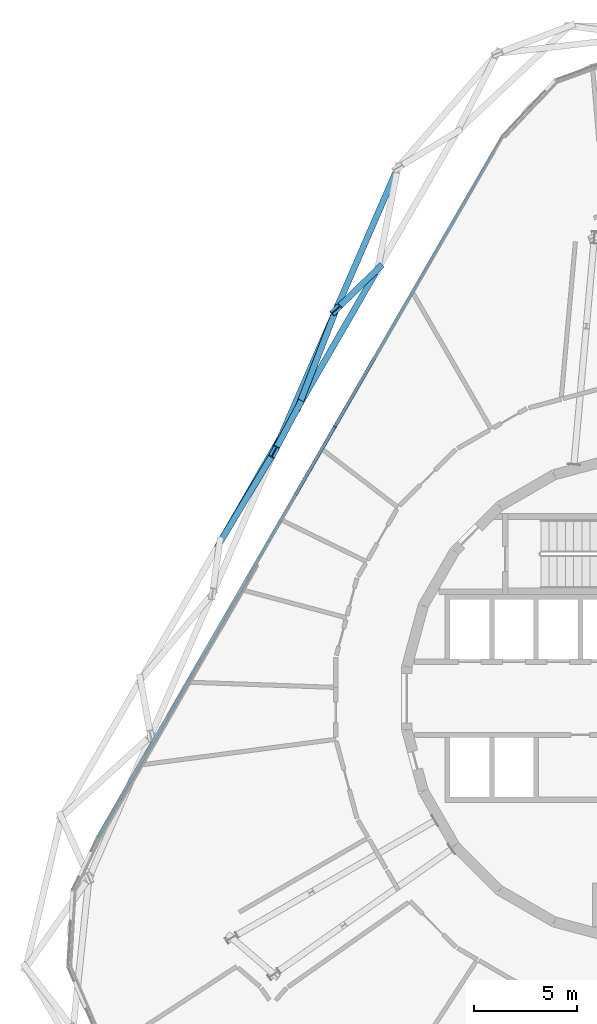
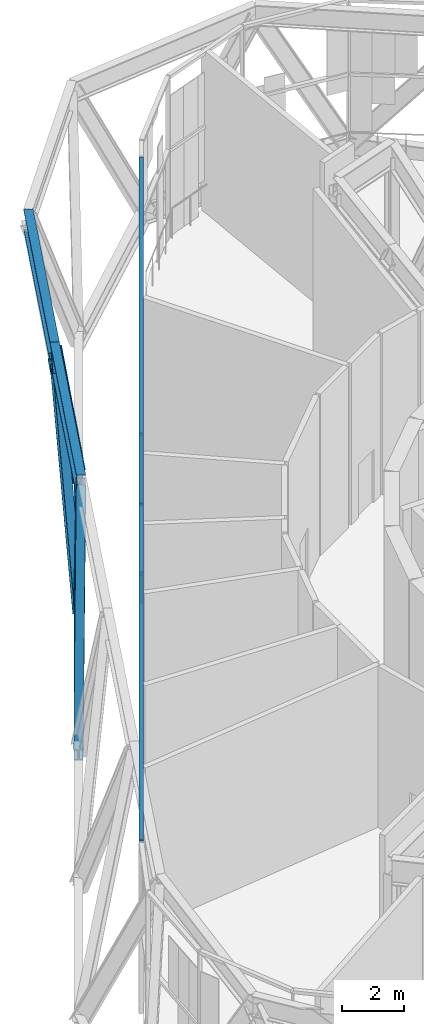
# One storey, part 7 of 29: 12 members, 1 element without a shape of its own.
"""IFC4 building model written with IfcOpenShell, lengths in metres."""

from ifc_helpers import new_model, si_unit, direction, frame, origin, origin_2d, place, context, subcontext, project, spatial, rectangle, i_section, extrude, material, layer, layer_set, material_profile, profile_set, type_object, element, aggregate, save


model = new_model("IFC4")

# Units and contexts
model_context = context("Model", 3, precision=1e-05, world=origin(), true_north=direction((0.0, 1.0)))
body_context = subcontext(model_context, "Body", "Model", "MODEL_VIEW")
ifc_project = project(units=[si_unit("LENGTHUNIT", "METRE"), si_unit("AREAUNIT", "SQUARE_METRE"), si_unit("VOLUMEUNIT", "CUBIC_METRE"), si_unit("PLANEANGLEUNIT", "RADIAN"), si_unit("MASSUNIT", "GRAM", prefix="KILO")], contexts=[model_context])

# Site, building, storey
site_placement = place(None, origin())
site = spatial("IfcSite", under=ifc_project, at=site_placement, CompositionType="ELEMENT")
building_placement = place(site_placement, origin())
building = spatial("IfcBuilding", under=site, at=building_placement, Name="Spindle Arch Residences", CompositionType="ELEMENT")
storey_placement = place(building_placement, frame((0.0, 0.0, 69.89990234375)))
storey = spatial("IfcBuildingStorey", under=building, at=storey_placement, Name="L16", CompositionType="ELEMENT", Elevation=69.89990234375)

# Members
ifc_material_1 = material(Name="Steel S460ML, intumescent coating R 240", Category="steel")
ifc_material_profile_1 = material_profile(ifc_material_1, i_section(OverallWidth=0.302978515625, OverallDepth=0.81396484375, WebThickness=0.02099609375, FlangeThickness=0.0400390625, FilletRadius=0.030029296875, at=origin_2d()), Name="HEM 800")
ifc_profile_set_1 = profile_set([ifc_material_profile_1], Name="Steel S460ML, intumescent coating R 240")
member_type_1 = type_object("IfcMemberType", Name="Belt truss chord HEM 800", PredefinedType="CHORD", material=ifc_profile_set_1)
for number, where, z_axis, x_axis, name in (
    (1, (-13.05859375, 20.841796875, -0.85693359375), (-0.499992114976, -0.866029956157, 0.0), (0.866029956157, -0.499992114976, 0.0), "Belt truss bottom chord L16.15"),
    (2, (-16.898681640625, 14.1904296875, -0.85693359375), (-0.500005879718, -0.866022009101, 0.0), (0.866022009101, -0.500005879718, 0.0), "Belt truss bottom chord L16.16"),
):
    element("IfcMember", number, at=place(storey_placement, frame(where, z_axis=z_axis, x_axis=x_axis)), inside=storey, type_object=member_type_1, Name=name, PredefinedType="CHORD", context=body_context, shape_type="SweptSolid", body=[
        extrude(i_section(OverallWidth=0.302978515625, OverallDepth=0.81396484375, WebThickness=0.02099609375, FlangeThickness=0.0400390625, FilletRadius=0.030029296875, at=origin_2d()), origin(), (0.0, 0.0, 1.0), 7.68017578125),
    ])
member_1_placement = place(storey_placement, frame((-12.0908203125, 25.75439453125, 5.943115234375), z_axis=(-0.398737984544, -0.917064893932, 0.0), x_axis=(0.917064893932, -0.398737984544, 0.0)))
element("IfcMember", 3, at=member_1_placement, inside=storey, type_object=member_type_1, Name="Belt truss top chord L16.14", PredefinedType="CHORD", context=body_context, shape_type="SweptSolid", body=[
    extrude(i_section(OverallWidth=0.302978515625, OverallDepth=0.81396484375, WebThickness=0.02099609375, FlangeThickness=0.0400390625, FilletRadius=0.030029296875, at=origin_2d()), origin(), (0.0, 0.0, 1.0), 7.518798828125),
])
member_2_placement = place(storey_placement, frame((-15.0888671875, 18.859130859375, 5.943115234375), z_axis=(-0.398765291981, -0.917053020229, 0.0), x_axis=(0.917053020229, -0.398765291981, 0.0)))
element("IfcMember", 4, at=member_2_placement, inside=storey, type_object=member_type_1, Name="Belt truss top chord L16.15", PredefinedType="CHORD", context=body_context, shape_type="SweptSolid", body=[
    extrude(i_section(OverallWidth=0.302978515625, OverallDepth=0.81396484375, WebThickness=0.02099609375, FlangeThickness=0.0400390625, FilletRadius=0.030029296875, at=origin_2d()), origin(), (0.0, 0.0, 1.0), 7.51904296875),
])
ifc_material_2 = material(Name="Steel S460ML, intumescent coating R 240", Category="steel")
ifc_material_profile_2 = material_profile(ifc_material_2, i_section(OverallWidth=0.304931640625, OverallDepth=0.6201171875, WebThickness=0.02099609375, FlangeThickness=0.0400390625, FilletRadius=0.027099609375, at=origin_2d()), Name="HEM 600")
ifc_profile_set_2 = profile_set([ifc_material_profile_2], Name="Steel S460ML, intumescent coating R 240")
member_type_2 = type_object("IfcMemberType", Name="Belt truss diagonal HEM 600", PredefinedType="BRACE", material=ifc_profile_set_2)
member_3_placement = place(storey_placement, frame((-13.05859375, 20.841796875, -0.85693359375), z_axis=(-0.275537083958, -0.2690760773, 0.922863684402), x_axis=(0.698668870581, -0.715445182583, 0.0)))
element("IfcMember", 5, at=member_3_placement, inside=storey, type_object=member_type_2, Name="Belt truss diagonal L16.15.15", PredefinedType="BRACE", context=body_context, shape_type="SweptSolid", body=[
    extrude(i_section(OverallWidth=0.304931640625, OverallDepth=0.6201171875, WebThickness=0.02099609375, FlangeThickness=0.0400390625, FilletRadius=0.027099609375, at=origin_2d()), origin(), (0.0, 0.0, 1.0), 7.368408203125),
])
member_4_placement = place(storey_placement, frame((-16.898681640625, 14.1904296875, -0.85693359375), z_axis=(0.214313789606, 0.552856144427, 0.805245107501), x_axis=(-0.932394845765, 0.361441352908, 0.0)))
element("IfcMember", 6, at=member_4_placement, inside=storey, type_object=member_type_2, Name="Belt truss diagonal L16.15.16", PredefinedType="BRACE", context=body_context, shape_type="SweptSolid", body=[
    extrude(i_section(OverallWidth=0.304931640625, OverallDepth=0.6201171875, WebThickness=0.02099609375, FlangeThickness=0.0400390625, FilletRadius=0.027099609375, at=origin_2d()), origin(), (0.0, 0.0, 1.0), 8.444580078125),
])
member_5_placement = place(storey_placement, frame((-16.898681640625, 14.1904296875, -0.85693359375), z_axis=(-0.16385265922, -0.30697129254, 0.937507830166), x_axis=(0.882192228266, -0.470889448158, 0.0)))
element("IfcMember", 7, at=member_5_placement, inside=storey, type_object=member_type_2, Name="Belt truss diagonal L16.16.16", PredefinedType="BRACE", context=body_context, shape_type="SweptSolid", body=[
    extrude(i_section(OverallWidth=0.304931640625, OverallDepth=0.6201171875, WebThickness=0.02099609375, FlangeThickness=0.0400390625, FilletRadius=0.027099609375, at=origin_2d()), origin(), (0.0, 0.0, 1.0), 7.25341796875),
])
member_6_placement = place(storey_placement, frame((-20.73876953125, 7.539306640625, -0.85693359375), z_axis=(0.310670294806, 0.518394047764, 0.796712984184), x_axis=(-0.857760084832, 0.514050227963, 0.0)))
element("IfcMember", 8, at=member_6_placement, inside=storey, type_object=member_type_2, Name="Belt truss diagonal L16.16.17", PredefinedType="BRACE", context=body_context, shape_type="SweptSolid", body=[
    extrude(i_section(OverallWidth=0.304931640625, OverallDepth=0.6201171875, WebThickness=0.02099609375, FlangeThickness=0.0400390625, FilletRadius=0.027099609375, at=origin_2d()), origin(), (0.0, 0.0, 1.0), 8.53515625),
])

# Curtain wall, members
ifc_material_3 = material(Name="Aluminium bronze unitised frame with tinted glass", Category="aluminium")
ifc_layer = layer(ifc_material_3, 0.159912109375)
ifc_layer_set = layer_set([ifc_layer], Name="CW-E double-height winter garden wall")
curtain_wall_type = type_object("IfcCurtainWallType", Name="CW-E double-height winter garden wall", PredefinedType="NOTDEFINED", material=ifc_layer_set)
curtain_wall_placement = place(storey_placement, origin())
curtain_wall = element("IfcCurtainWall", 9, at=curtain_wall_placement, inside=storey, type_object=curtain_wall_type, Name="CW-E L16 run 4", PredefinedType="NOTDEFINED")
ifc_material_4 = material(Name="Aluminium bronze anodised mullion", Category="aluminium")
ifc_material_profile_3 = material_profile(ifc_material_4, rectangle(XDim=0.159912109375, YDim=0.06005859375, at=origin_2d()), Name="MU 60x160")
ifc_profile_set_3 = profile_set([ifc_material_profile_3], Name="Aluminium bronze anodised mullion")
member_type_3 = type_object("IfcMemberType", Name="Bronze mullion 60x160", PredefinedType="MULLION", material=ifc_profile_set_3)
member_7_placement = place(storey_placement, frame((-15.149169921875, 13.180419921875, -0.449951171875), z_axis=(0.0, 0.0, 1.0), x_axis=(0.866025403784, -0.5, 0.0)))
member_7 = element("IfcMember", 10, at=member_7_placement, type_object=member_type_3, Name="CW-E mullion 15", PredefinedType="MULLION", context=body_context, shape_type="SweptSolid", body=[
    extrude(rectangle(XDim=0.159912109375, YDim=0.06005859375, at=origin_2d()), origin(), (0.0, 0.0, 1.0), 6.679931640625),
])
ifc_material_5 = material(Name="Aluminium bronze anodised transom", Category="aluminium")
ifc_material_profile_4 = material_profile(ifc_material_5, rectangle(XDim=0.159912109375, YDim=0.1201171875, at=origin_2d()), Name="TR 120x160")
ifc_profile_set_4 = profile_set([ifc_material_profile_4], Name="Aluminium bronze anodised transom")
member_type_4 = type_object("IfcMemberType", Name="Bronze transom 120x160", PredefinedType="USERDEFINED", material=ifc_profile_set_4)
member_8_placement = place(storey_placement, frame((-7.484130859375, 26.456787109375, 6.2900390625), z_axis=(-0.50000099666, -0.866024828362, 0.0), x_axis=(0.866024828362, -0.50000099666, 0.0)))
member_8 = element("IfcMember", 11, at=member_8_placement, type_object=member_type_4, Name="CW-E transom 00", ObjectType="TRANSOM", PredefinedType="USERDEFINED", context=body_context, shape_type="SweptSolid", body=[
    extrude(rectangle(XDim=0.159912109375, YDim=0.1201171875, at=origin_2d()), origin(), (0.0, 0.0, 1.0), 38.34033203125),
])
member_9_placement = place(storey_placement, frame((-13.229248046875, 16.506103515625, 3.400146484375), z_axis=(-0.500005339912, -0.866022320763, 0.0), x_axis=(0.866022320763, -0.500005339912, 0.0)))
member_9 = element("IfcMember", 12, at=member_9_placement, type_object=member_type_4, Name="CW-E transom 14Bm", ObjectType="TRANSOM", PredefinedType="USERDEFINED", context=body_context, shape_type="SweptSolid", body=[
    extrude(rectangle(XDim=0.159912109375, YDim=0.1201171875, at=origin_2d()), origin(), (0.0, 0.0, 1.0), 3.81005859375),
])
member_10_placement = place(storey_placement, frame((-15.164306640625, 13.154541015625, 3.400146484375), z_axis=(-0.500005339912, -0.866022320763, 0.0), x_axis=(0.866022320763, -0.500005339912, 0.0)))
member_10 = element("IfcMember", 13, at=member_10_placement, type_object=member_type_4, Name="CW-E transom 15Am", ObjectType="TRANSOM", PredefinedType="USERDEFINED", context=body_context, shape_type="SweptSolid", body=[
    extrude(rectangle(XDim=0.159912109375, YDim=0.1201171875, at=origin_2d()), origin(), (0.0, 0.0, 1.0), 3.81005859375),
])
aggregate(curtain_wall, [member_8, member_9, member_7, member_10])

save(model, "model.ifc")
